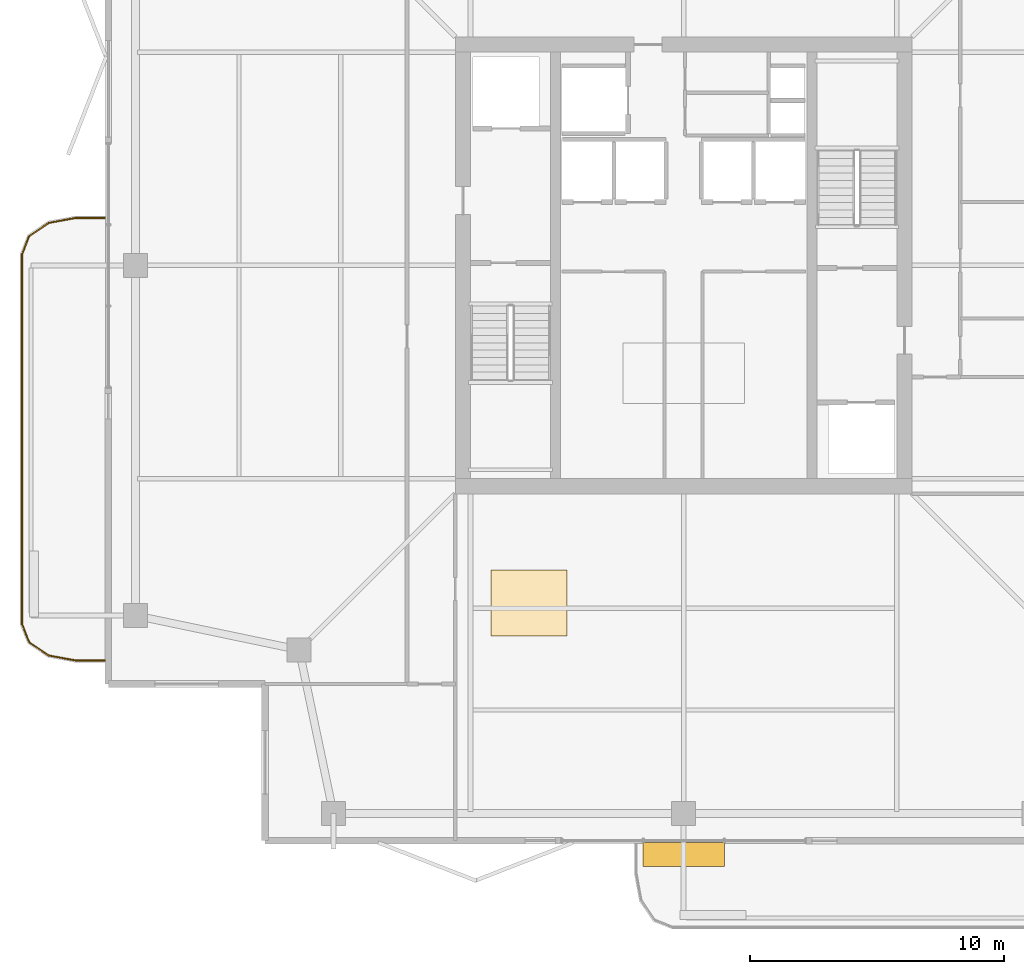
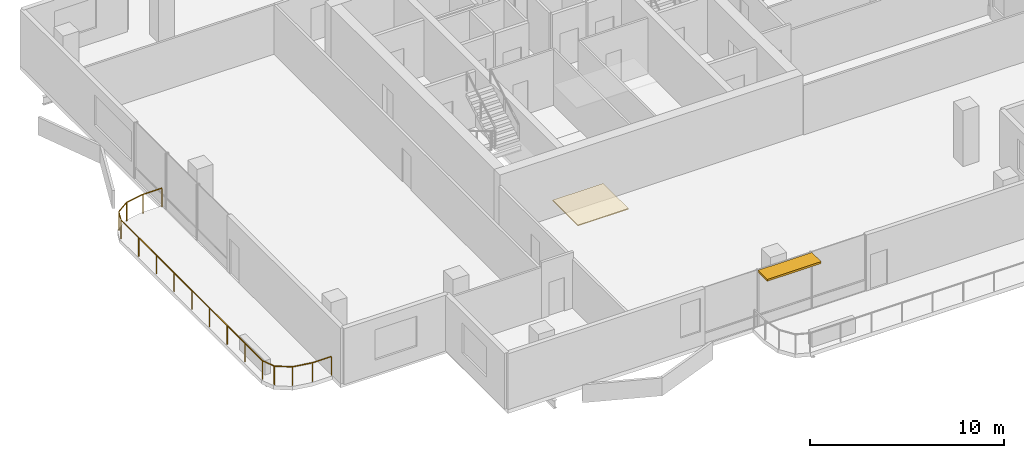
# One storey, part 16 of 18: 1 covering, 1 railing, 1 shading device.
"""IFC4 building model written with IfcOpenShell, lengths in metres."""

import ifcopenshell
import ifcopenshell.guid

model = None  # the IFC model being written
_history = None  # IfcOwnerHistory: only IFC2X3 demands one
_inside = {}  # id of a spatial element -> (the spatial element, [elements in it])
_under = {}  # id of a project, library or spatial element -> (it, [spatial elements below it])
_declared = {}  # id of a project -> (the project, [libraries it declares])
_typed = {}  # id of a type object -> (the type object, [elements of that type])
_made_of = {}  # id of a material, layer set ... -> (it, [elements and type objects made of it])


def new_model(schema):
    """Start an empty IFC model of exactly this schema.

    Asked for "IFC4X3", IfcOpenShell would pick the latest addendum, in which some entities
    have other attributes; the version numbers below select the first issue.
    IFC2X3 requires an IfcOwnerHistory on every rooted entity: one is made here for all.
    """
    global model, _history
    if schema == "IFC4X3":
        model = ifcopenshell.file(schema_version=(4, 3, 0, 0))
    else:
        model = ifcopenshell.file(schema=schema)
    _inside.clear()
    _under.clear()
    _declared.clear()
    _typed.clear()
    _made_of.clear()
    _history = None
    if model.schema == "IFC2X3":
        org = make("IfcOrganization", Name="unknown")
        user = make(
            "IfcPersonAndOrganization",
            ThePerson=make("IfcPerson", FamilyName="unknown"),
            TheOrganization=org,
        )
        app = make(
            "IfcApplication",
            ApplicationDeveloper=org,
            Version="unknown",
            ApplicationFullName="unknown",
            ApplicationIdentifier="unknown",
        )
        _history = make(
            "IfcOwnerHistory",
            OwningUser=user,
            OwningApplication=app,
            ChangeAction="ADDED",
            CreationDate=0,
        )
    return model


def make(cls, **values):
    """One entity of the class cls with the attributes given. An attribute that is None is left unset."""
    return model.create_entity(
        cls, **{name: value for name, value in values.items() if value is not None}
    )


def rooted(cls, **values):
    """An entity with a GlobalId (a new one), such as an element, a storey or a relation."""
    return make(cls, GlobalId=ifcopenshell.guid.new(), OwnerHistory=_history, **values)


def si_unit(unit_type, name, prefix=None):
    """IfcSIUnit, for example si_unit("LENGTHUNIT", "METRE", prefix="MILLI")."""
    return make("IfcSIUnit", UnitType=unit_type, Prefix=prefix, Name=name)


def assignment(units):
    """IfcUnitAssignment: the units of a project."""
    return None if units is None else make("IfcUnitAssignment", Units=units)


def point(xyz):
    """IfcCartesianPoint."""
    return None if xyz is None else make("IfcCartesianPoint", Coordinates=xyz)


def direction(xyz):
    """IfcDirection."""
    return None if xyz is None else make("IfcDirection", DirectionRatios=xyz)


def frame(location, z_axis=None, x_axis=None):
    """IfcAxis2Placement3D, a coordinate frame: its origin and axes. An axis left out is left unset."""
    return make(
        "IfcAxis2Placement3D",
        Location=point(location),
        Axis=direction(z_axis),
        RefDirection=direction(x_axis),
    )


def frame_2d(location, x_axis=None):
    """IfcAxis2Placement2D, a coordinate frame in the plane: its origin and x axis."""
    return make(
        "IfcAxis2Placement2D", Location=point(location), RefDirection=direction(x_axis)
    )


def origin():
    """The frame at (0, 0, 0) with its axes left unset."""
    return frame((0.0, 0.0, 0.0))


def origin_2d():
    """The frame at (0, 0) in the plane with its x axis left unset."""
    return frame_2d((0.0, 0.0))


def place(relative_to, where):
    """IfcLocalPlacement: puts the frame where relative to a parent placement (None: the world)."""
    return make(
        "IfcLocalPlacement", PlacementRelTo=relative_to, RelativePlacement=where
    )


def context(
    kind, dimensions, precision=None, world=None, true_north=None, identifier=None
):
    """IfcGeometricRepresentationContext, for example the 3D "Model" context."""
    return make(
        "IfcGeometricRepresentationContext",
        ContextIdentifier=identifier,
        ContextType=kind,
        CoordinateSpaceDimension=dimensions,
        Precision=precision,
        WorldCoordinateSystem=world,
        TrueNorth=true_north,
    )


def subcontext(parent, identifier, kind, view, scale=None):
    """IfcGeometricRepresentationSubContext, for example "Body" below "Model"."""
    return make(
        "IfcGeometricRepresentationSubContext",
        ContextIdentifier=identifier,
        ContextType=kind,
        ParentContext=parent,
        TargetScale=scale,
        TargetView=view,
    )


def project(units=None, contexts=None):
    """IfcProject with its units and contexts."""
    return rooted(
        "IfcProject",
        Name="project",
        RepresentationContexts=contexts,
        UnitsInContext=assignment(units),
    )


def spatial(cls, under=None, at=None, **own):
    """A site, building, storey or space (cls), placed at a placement, below another one or the project."""
    s = rooted(cls, ObjectPlacement=at, **own)
    if under is not None:
        _under.setdefault(under.id(), (under, []))[1].append(s)
    return s


def polyline(points):
    """IfcPolyline through the points."""
    return make("IfcPolyline", Points=[point(p) for p in points])


def profile(cls, at=None, kind="AREA", **sizes):
    """A parametric profile (cls). Its sizes go by their IFC names, for example OverallWidth=200.0."""
    return make(cls, ProfileType=kind, Position=at, **sizes)


def rectangle(**sizes):
    """IfcRectangleProfileDef."""
    return profile("IfcRectangleProfileDef", **sizes)


def outline(outer, holes=None, kind="AREA"):
    """IfcArbitraryClosedProfileDef: a profile drawn as a closed curve; with holes, ...WithVoids."""
    if holes is None:
        return make("IfcArbitraryClosedProfileDef", ProfileType=kind, OuterCurve=outer)
    return make(
        "IfcArbitraryProfileDefWithVoids",
        ProfileType=kind,
        OuterCurve=outer,
        InnerCurves=holes,
    )


def extrude(swept, where, along, depth):
    """IfcExtrudedAreaSolid: the profile swept, set in the frame where, extruded along a direction by depth."""
    return make(
        "IfcExtrudedAreaSolid",
        SweptArea=swept,
        Position=where,
        ExtrudedDirection=direction(along),
        Depth=depth,
    )


def shape(context_of_items, identifier, shape_type, items):
    """IfcShapeRepresentation: the items that make up one representation, for example the "Body"."""
    return make(
        "IfcShapeRepresentation",
        ContextOfItems=context_of_items,
        RepresentationIdentifier=identifier,
        RepresentationType=shape_type,
        Items=items,
    )


def material(Name=None, Category=None):
    """IfcMaterial."""
    return make("IfcMaterial", Name=Name, Category=Category)


def layer(
    of_material, thickness, ventilated=None, Name=None, Category=None, Priority=None
):
    """IfcMaterialLayer: one layer of a wall or slab, of a material (None: an air gap)."""
    return make(
        "IfcMaterialLayer",
        Material=of_material,
        LayerThickness=thickness,
        IsVentilated=ventilated,
        Name=Name,
        Category=Category,
        Priority=Priority,
    )


def layer_set(layers, Name=None):
    """IfcMaterialLayerSet."""
    return make("IfcMaterialLayerSet", MaterialLayers=layers, LayerSetName=Name)


def made_of(thing, what):
    """Note that an element or type object is made of a material, layer set ...; save() writes the relation."""
    if what is not None:
        _made_of.setdefault(what.id(), (what, []))[1].append(thing)
    return thing


def type_object(cls, material=None, **own):
    """A type object (cls), such as IfcWallType, which elements share."""
    return made_of(rooted(cls, **own), material)


def element(
    cls,
    number,
    at=None,
    inside=None,
    cuts=None,
    type_object=None,
    material=None,
    context=None,
    identifier="Body",
    shape_type=None,
    held_by="IfcProductDefinitionShape",
    body=None,
    shapes=None,
    **own,
):
    """One element of the class cls, such as IfcWall. Its Tag is "e" and its number.

    at: its placement. inside: the storey or other place that contains it. cuts: it is an
    opening in that element (IfcRelVoidsElement). A single representation is given by context,
    identifier, shape_type and body (its items); several are given by shapes. held_by: the class
    of the entity that holds the representations. save() writes the other relations.
    """
    e = rooted(cls, Tag="e%d" % number, ObjectPlacement=at, **own)
    if body is not None:
        shapes = [shape(context, identifier, shape_type, body)]
    if shapes is not None:
        e.Representation = make(held_by, Representations=shapes)
    if inside is not None:
        _inside.setdefault(inside.id(), (inside, []))[1].append(e)
    if cuts is not None:
        rooted(
            "IfcRelVoidsElement", RelatingBuildingElement=cuts, RelatedOpeningElement=e
        )
    if type_object is not None:
        _typed.setdefault(type_object.id(), (type_object, []))[1].append(e)
    return made_of(e, material)


def aggregate(whole, parts):
    """IfcRelAggregates: a whole, such as a stair, and the parts it consists of."""
    return rooted("IfcRelAggregates", RelatingObject=whole, RelatedObjects=parts)


def save(model, path):
    """Write the relations noted so far, then the file.

    IfcRelAggregates (storeys below a building ...), IfcRelContainedInSpatialStructure (elements
    in a storey), IfcRelDefinesByType, IfcRelAssociatesMaterial and IfcRelDeclares: one each for
    every whole, place, type object, material and project.
    """
    for whole, parts in _under.values():
        aggregate(whole, parts)
    for where, things in _inside.values():
        rooted(
            "IfcRelContainedInSpatialStructure",
            RelatedElements=things,
            RelatingStructure=where,
        )
    for kind, things in _typed.values():
        rooted("IfcRelDefinesByType", RelatedObjects=things, RelatingType=kind)
    for what, things in _made_of.values():
        rooted("IfcRelAssociatesMaterial", RelatedObjects=things, RelatingMaterial=what)
    for by, libraries in _declared.values():
        rooted("IfcRelDeclares", RelatingContext=by, RelatedDefinitions=libraries)
    model.write(path)


model = new_model("IFC4")

# Units and contexts
model_context = context("Model", 3, precision=1e-05, world=origin(), true_north=direction((0.0, 1.0)))
body_context = subcontext(model_context, "Body", "Model", "MODEL_VIEW")
ifc_project = project(units=[si_unit("LENGTHUNIT", "METRE"), si_unit("AREAUNIT", "SQUARE_METRE"), si_unit("VOLUMEUNIT", "CUBIC_METRE"), si_unit("PLANEANGLEUNIT", "RADIAN"), si_unit("MASSUNIT", "GRAM", prefix="KILO")], contexts=[model_context])

# Site, building, storey
site_placement = place(None, origin())
site = spatial("IfcSite", under=ifc_project, at=site_placement, CompositionType="ELEMENT")
building_placement = place(site_placement, origin())
building = spatial("IfcBuilding", under=site, at=building_placement, Name="Belovzor Exchange Tower", CompositionType="ELEMENT")
storey_placement = place(building_placement, frame((0.0, 0.0, 318.0)))
storey = spatial("IfcBuildingStorey", under=building, at=storey_placement, Name="L79", CompositionType="ELEMENT", Elevation=318.0)

# Railing
ifc_material_1 = material(Name="Stainless Steel and Laminated Safety Glass", Category="steel")
railing_type = type_object("IfcRailingType", Name="Laminated Glass & Stainless Steel Balcony Balustrade 1200", PredefinedType="BALUSTRADE", material=ifc_material_1)
railing_placement = place(storey_placement, frame((5.989990234375, 30.669921875, 0.0)))
element("IfcRailing", 1, at=railing_placement, inside=storey, type_object=railing_type, Name="GR-1 Balcony Balustrade L79 West", PredefinedType="BALUSTRADE", context=body_context, shape_type="SweptSolid", body=[
    extrude(rectangle(XDim=0.048095703125, YDim=0.048095703125, at=origin_2d()), frame((0.0, 0.0, 1.17578125), z_axis=(-1.0, 0.0, 0.0), x_axis=(0.0, -1.0, 0.0)), (0.0, 0.0, 1.0), 1.133056640625),
    extrude(rectangle(XDim=0.048095703125, YDim=0.048095703125, at=origin_2d()), frame((-1.133056640625, 0.0, 1.17578125), z_axis=(-0.983644145941, -0.180122719713, 0.0), x_axis=(0.180122719713, -0.983644145941, 0.0)), (0.0, 0.0, 1.0), 1.09375),
    extrude(rectangle(XDim=0.048095703125, YDim=0.048095703125, at=origin_2d()), frame((-2.208984375, -0.197021484375, 1.17578125), z_axis=(-0.826614792125, -0.562768145367, 0.0), x_axis=(0.562768145367, -0.826614792125, 0.0)), (0.0, 0.0, 1.0), 0.9326171875),
    extrude(rectangle(XDim=0.048095703125, YDim=0.048095703125, at=origin_2d()), frame((-2.97998046875, -0.721923828125, 1.17578125), z_axis=(-0.365612923861, -0.930766990125, 0.0), x_axis=(0.930766990125, -0.365612923861, 0.0)), (0.0, 0.0, 1.0), 0.765869140625),
    extrude(rectangle(XDim=0.048095703125, YDim=0.048095703125, at=origin_2d()), frame((-3.260009765625, -1.434814453125, 1.17578125), z_axis=(0.0, -1.0, 0.0), x_axis=(1.0, 0.0, 0.0)), (0.0, 0.0, 1.0), 14.570068359375),
    extrude(rectangle(XDim=0.048095703125, YDim=0.048095703125, at=origin_2d()), frame((-3.260009765625, -16.0048828125, 1.17578125), z_axis=(0.365504480807, -0.930809580156, 0.0), x_axis=(0.930809580156, 0.365504480807, 0.0)), (0.0, 0.0, 1.0), 0.76611328125),
    extrude(rectangle(XDim=0.048095703125, YDim=0.048095703125, at=origin_2d()), frame((-2.97998046875, -16.718017578125, 1.17578125), z_axis=(0.826614792125, -0.562768145367, 0.0), x_axis=(0.562768145367, 0.826614792125, 0.0)), (0.0, 0.0, 1.0), 0.9326171875),
    extrude(rectangle(XDim=0.048095703125, YDim=0.048095703125, at=origin_2d()), frame((-2.208984375, -17.242919921875, 1.17578125), z_axis=(0.983644145941, -0.180122719713, 0.0), x_axis=(0.180122719713, 0.983644145941, 0.0)), (0.0, 0.0, 1.0), 1.09375),
    extrude(rectangle(XDim=0.048095703125, YDim=0.048095703125, at=origin_2d()), frame((-1.133056640625, -17.43994140625, 1.17578125), z_axis=(1.0, 0.0, 0.0), x_axis=(0.0, 1.0, 0.0)), (0.0, 0.0, 1.0), 1.133056640625),
    extrude(rectangle(XDim=0.0419921875, YDim=0.0419921875, at=origin_2d()), origin(), (0.0, 0.0, 1.0), 1.15185546875),
    extrude(rectangle(XDim=0.0419921875, YDim=0.0419921875, at=origin_2d()), frame((-1.133056640625, 0.0, 0.0)), (0.0, 0.0, 1.0), 1.15185546875),
    extrude(rectangle(XDim=0.0419921875, YDim=0.0419921875, at=origin_2d()), frame((-2.208984375, -0.197021484375, 0.0)), (0.0, 0.0, 1.0), 1.15185546875),
    extrude(rectangle(XDim=0.0419921875, YDim=0.0419921875, at=origin_2d()), frame((-2.97998046875, -0.721923828125, 0.0)), (0.0, 0.0, 1.0), 1.15185546875),
    extrude(rectangle(XDim=0.0419921875, YDim=0.0419921875, at=origin_2d()), frame((-3.260009765625, -1.434814453125, 0.0)), (0.0, 0.0, 1.0), 1.15185546875),
    extrude(rectangle(XDim=0.0419921875, YDim=0.0419921875, at=origin_2d()), frame((-3.260009765625, -3.256103515625, 0.0)), (0.0, 0.0, 1.0), 1.15185546875),
    extrude(rectangle(XDim=0.0419921875, YDim=0.0419921875, at=origin_2d()), frame((-3.260009765625, -5.077392578125, 0.0)), (0.0, 0.0, 1.0), 1.15185546875),
    extrude(rectangle(XDim=0.0419921875, YDim=0.0419921875, at=origin_2d()), frame((-3.260009765625, -6.898681640625, 0.0)), (0.0, 0.0, 1.0), 1.15185546875),
    extrude(rectangle(XDim=0.0419921875, YDim=0.0419921875, at=origin_2d()), frame((-3.260009765625, -8.7197265625, 0.0)), (0.0, 0.0, 1.0), 1.15185546875),
    extrude(rectangle(XDim=0.0419921875, YDim=0.0419921875, at=origin_2d()), frame((-3.260009765625, -10.541015625, 0.0)), (0.0, 0.0, 1.0), 1.15185546875),
    extrude(rectangle(XDim=0.0419921875, YDim=0.0419921875, at=origin_2d()), frame((-3.260009765625, -12.3623046875, 0.0)), (0.0, 0.0, 1.0), 1.15185546875),
    extrude(rectangle(XDim=0.0419921875, YDim=0.0419921875, at=origin_2d()), frame((-3.260009765625, -14.18359375, 0.0)), (0.0, 0.0, 1.0), 1.15185546875),
    extrude(rectangle(XDim=0.0419921875, YDim=0.0419921875, at=origin_2d()), frame((-3.260009765625, -16.0048828125, 0.0)), (0.0, 0.0, 1.0), 1.15185546875),
    extrude(rectangle(XDim=0.0419921875, YDim=0.0419921875, at=origin_2d()), frame((-2.97998046875, -16.718017578125, 0.0)), (0.0, 0.0, 1.0), 1.15185546875),
    extrude(rectangle(XDim=0.0419921875, YDim=0.0419921875, at=origin_2d()), frame((-2.208984375, -17.242919921875, 0.0)), (0.0, 0.0, 1.0), 1.15185546875),
    extrude(rectangle(XDim=0.0419921875, YDim=0.0419921875, at=origin_2d()), frame((-1.133056640625, -17.43994140625, 0.0)), (0.0, 0.0, 1.0), 1.15185546875),
    extrude(rectangle(XDim=0.0419921875, YDim=0.0419921875, at=origin_2d()), frame((0.0, -17.43994140625, 0.0)), (0.0, 0.0, 1.0), 1.15185546875),
])

# Covering
ifc_material_2 = material(Name="Perforated Powder-Coated Aluminium", Category="aluminium")
ifc_layer_1 = layer(ifc_material_2, 0.06005859375)
ifc_layer_set_1 = layer_set([ifc_layer_1], Name="Perforated Powder-Coated Aluminium")
covering_type = type_object("IfcCoveringType", Name="Perforated Acoustic Metal Tile Suspended Ceiling 60", PredefinedType="CEILING", material=ifc_layer_set_1)
covering_placement = place(storey_placement, frame((0.0, 0.0, 3.449951171875)))
element("IfcCovering", 2, at=covering_placement, inside=storey, type_object=covering_type, Name="CLG-AC60 Suspended Ceiling CLG-L79-Z0", PredefinedType="CEILING", context=body_context, shape_type="SweptSolid", body=[
    extrude(outline(polyline([(21.199951171875, 14.199951171875), (24.199951171875, 14.199951171875), (24.199951171875, 16.800048828125), (21.199951171875, 16.800048828125), (21.199951171875, 14.199951171875)])), origin(), (0.0, 0.0, 1.0), 0.06005859375),
])

# Shading device
ifc_material_3 = material(Name="Extruded Architectural Terracotta", Category="masonry")
ifc_layer_2 = layer(ifc_material_3, 0.1201171875)
ifc_layer_set_2 = layer_set([ifc_layer_2], Name="Extruded Architectural Terracotta")
shading_device_type = type_object("IfcShadingDeviceType", Name="Streamline Terracotta Horizontal Sunshade Hood 950", PredefinedType="AWNING", material=ifc_layer_set_2)
shading_device_placement = place(storey_placement, frame((28.800048828125, 5.5849609375, 3.389892578125), z_axis=(0.0, 0.0, 1.0), x_axis=(1.0, 0.0, 0.0)))
element("IfcShadingDevice", 3, at=shading_device_placement, inside=storey, type_object=shading_device_type, Name="SHD-TC095 Terracotta Sunshade L79 S", PredefinedType="AWNING", context=body_context, shape_type="SweptSolid", body=[
    extrude(rectangle(XDim=3.199951171875, YDim=0.949951171875, at=origin_2d()), origin(), (0.0, 0.0, 1.0), 0.1201171875),
])

save(model, "model.ifc")
